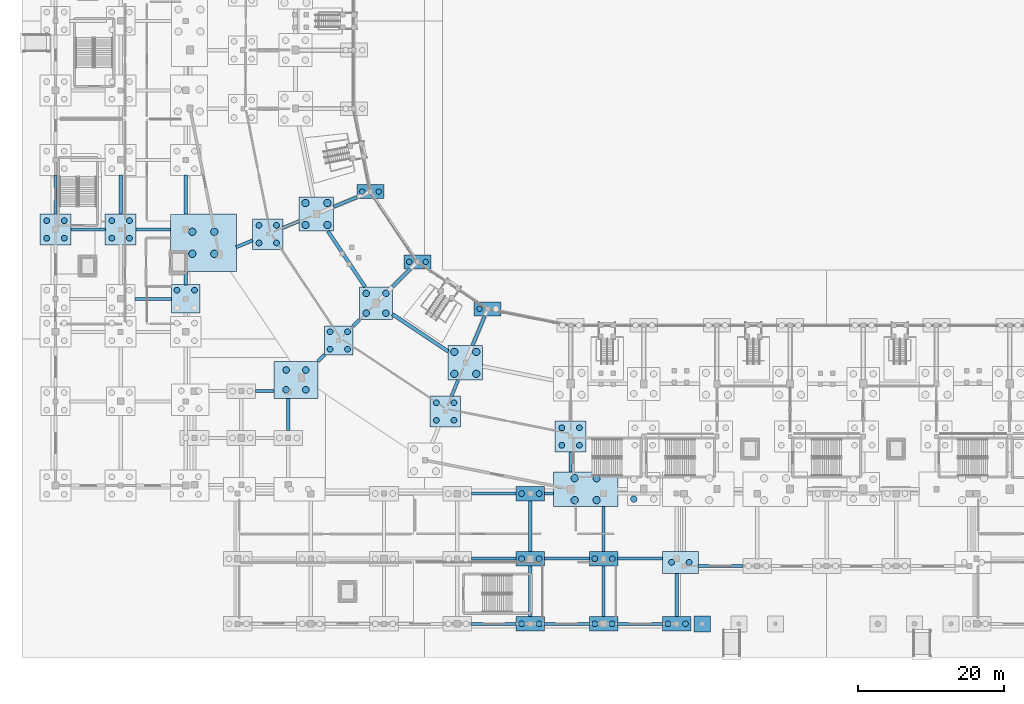
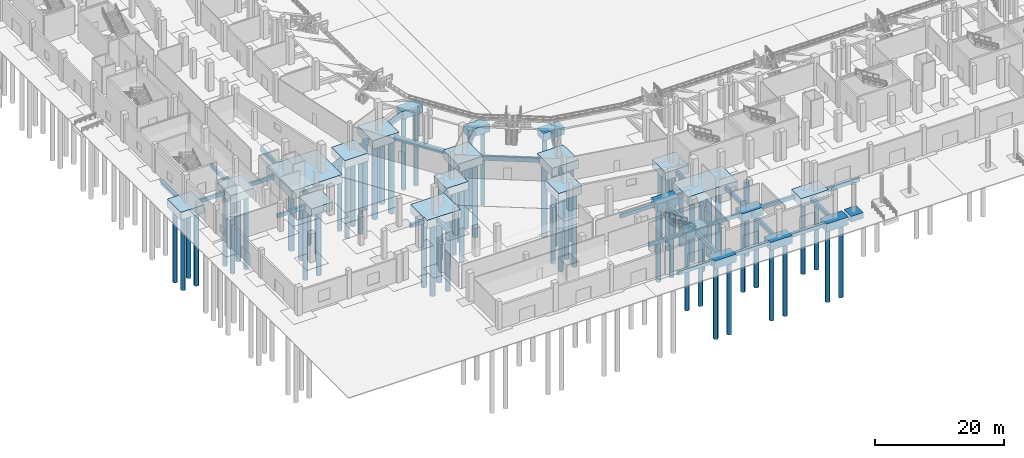
# One storey, part 2 of 68: 70 piles, 58 footings.
"""IFC4 building model written with IfcOpenShell, lengths in metres."""

from ifc_helpers import new_model, si_unit, direction, frame, origin, origin_2d, place, context, subcontext, project, spatial, rectangle, circle, extrude, material, material_profile, profile_set, type_object, element, save


model = new_model("IFC4")

# Units and contexts
model_context = context("Model", 3, precision=1e-05, world=origin(), true_north=direction((0.0, 1.0)))
body_context = subcontext(model_context, "Body", "Model", "MODEL_VIEW")
ifc_project = project(units=[si_unit("LENGTHUNIT", "METRE"), si_unit("AREAUNIT", "SQUARE_METRE"), si_unit("VOLUMEUNIT", "CUBIC_METRE"), si_unit("PLANEANGLEUNIT", "RADIAN"), si_unit("MASSUNIT", "GRAM", prefix="KILO")], contexts=[model_context])

# Site, building, storey
site_placement = place(None, origin())
site = spatial("IfcSite", under=ifc_project, at=site_placement, CompositionType="ELEMENT")
building_placement = place(site_placement, origin())
building = spatial("IfcBuilding", under=site, at=building_placement, Name="Candeia Ridge Stadium", CompositionType="ELEMENT")
storey_placement = place(building_placement, origin())
storey = spatial("IfcBuildingStorey", under=building, at=storey_placement, Name="L00", CompositionType="ELEMENT", Elevation=0.0)

# Piles
ifc_material = material(Name="Concrete C40/50", Category="concrete")
ifc_material_profile_1 = material_profile(ifc_material, circle(Radius=0.5, at=origin_2d()), Name="PILE-D1000", Category="concrete")
ifc_profile_set_1 = profile_set([ifc_material_profile_1], Name="Concrete C40/50")
pile_type_1 = type_object("IfcPileType", Name="Bored Concrete Pile D1000", PredefinedType="BORED", material=ifc_profile_set_1)
for number, where, z_axis, x_axis, name in (
    (1, (34.76220703125, 55.111083984375, -1.39990234375), (0.0, 0.0, -1.0), (1.0, 0.0, 0.0), "Bored concrete foundation pile PILE-0205"),
    (2, (37.76220703125, 55.111083984375, -1.39990234375), (0.0, 0.0, -1.0), (1.0, 0.0, 0.0), "Bored concrete foundation pile PILE-0206"),
    (3, (34.76220703125, 58.111083984375, -1.39990234375), (0.0, 0.0, -1.0), (1.0, 0.0, 0.0), "Bored concrete foundation pile PILE-0207"),
    (4, (37.76220703125, 58.111083984375, -1.39990234375), (0.0, 0.0, -1.0), (1.0, 0.0, 0.0), "Bored concrete foundation pile PILE-0208"),
    (5, (19.30419921875, 51.17529296875, -1.39990234375), (0.0, 0.0, -1.0), (1.0, 0.0, 0.0), "Bored concrete foundation pile PILE-0213"),
    (6, (22.30419921875, 51.17529296875, -1.39990234375), (0.0, 0.0, -1.0), (1.0, 0.0, 0.0), "Bored concrete foundation pile PILE-0214"),
    (7, (19.30419921875, 54.17529296875, -1.39990234375), (0.0, 0.0, -1.0), (1.0, 0.0, 0.0), "Bored concrete foundation pile PILE-0215"),
    (8, (22.30419921875, 54.17529296875, -1.39990234375), (0.0, 0.0, -1.0), (1.0, 0.0, 0.0), "Bored concrete foundation pile PILE-0216"),
    (9, (55.111083984375, 34.76220703125, -1.39990234375), (0.0, 0.0, -1.0), (1.0, 0.0, 0.0), "Bored concrete foundation pile PILE-0233"),
    (10, (58.111083984375, 34.76220703125, -1.39990234375), (0.0, 0.0, -1.0), (1.0, 0.0, 0.0), "Bored concrete foundation pile PILE-0234"),
    (11, (55.111083984375, 37.76220703125, -1.39990234375), (0.0, 0.0, -1.0), (1.0, 0.0, 0.0), "Bored concrete foundation pile PILE-0235"),
    (12, (58.111083984375, 37.76220703125, -1.39990234375), (0.0, 0.0, -1.0), (1.0, 0.0, 0.0), "Bored concrete foundation pile PILE-0236"),
    (13, (71.550048828125, 17.5, -1.39990234375), (0.0, 0.0, -1.0), (1.0, 0.0, 0.0), "Bored concrete foundation pile PILE-0255"),
    (14, (74.550048828125, 17.5, -1.39990234375), (0.0, 0.0, -1.0), (1.0, 0.0, 0.0), "Bored concrete foundation pile PILE-0256"),
    (15, (71.550048828125, 20.5, -1.39990234375), (0.0, 0.0, -1.0), (1.0, 0.0, 0.0), "Bored concrete foundation pile PILE-0257"),
    (16, (74.550048828125, 20.5, -1.39990234375), (0.0, 0.0, -1.0), (1.0, 0.0, 0.0), "Bored concrete foundation pile PILE-0258"),
):
    element("IfcPile", number, at=place(storey_placement, frame(where, z_axis=z_axis, x_axis=x_axis)), inside=storey, type_object=pile_type_1, Name=name, PredefinedType="BORED", context=body_context, shape_type="SweptSolid", body=[
        extrude(circle(Radius=0.5, at=origin_2d()), origin(), (0.0, 0.0, 1.0), 14.0),
    ])
ifc_material_profile_2 = material_profile(ifc_material, circle(Radius=0.375, at=origin_2d()), Name="PILE-D750", Category="concrete")
ifc_profile_set_2 = profile_set([ifc_material_profile_2], Name="Concrete C40/50")
pile_type_2 = type_object("IfcPileType", Name="Bored Concrete Pile D750", PredefinedType="BORED", material=ifc_profile_set_2)
for number, where, z_axis, x_axis, name in (
    (17, (42.5283203125, 59.672607421875, -1.39990234375), (0.0, 0.0, -1.0), (1.0, 0.0, 0.0), "Bored concrete foundation pile PILE-0203"),
    (18, (44.7783203125, 59.672607421875, -1.39990234375), (0.0, 0.0, -1.0), (1.0, 0.0, 0.0), "Bored concrete foundation pile PILE-0204"),
    (19, (48.944580078125, 50.069580078125, -1.39990234375), (0.0, 0.0, -1.0), (1.0, 0.0, 0.0), "Bored concrete foundation pile PILE-0217"),
    (20, (51.194580078125, 50.069580078125, -1.39990234375), (0.0, 0.0, -1.0), (1.0, 0.0, 0.0), "Bored concrete foundation pile PILE-0218"),
    (21, (58.547607421875, 43.6533203125, -1.39990234375), (0.0, 0.0, -1.0), (1.0, 0.0, 0.0), "Bored concrete foundation pile PILE-0231"),
):
    element("IfcPile", number, at=place(storey_placement, frame(where, z_axis=z_axis, x_axis=x_axis)), inside=storey, type_object=pile_type_2, Name=name, PredefinedType="BORED", context=body_context, shape_type="SweptSolid", body=[
        extrude(circle(Radius=0.375, at=origin_2d()), origin(), (0.0, 0.0, 1.0), 14.0),
    ])
ifc_material_profile_3 = material_profile(ifc_material, circle(Radius=0.39990234375, at=origin_2d()), Name="PILE-D800", Category="concrete")
ifc_profile_set_3 = profile_set([ifc_material_profile_3], Name="Concrete C40/50")
pile_type_3 = type_object("IfcPileType", Name="Bored Concrete Pile D800", PredefinedType="BORED", material=ifc_profile_set_3)
for number, where, z_axis, x_axis, name in (
    (22, (28.41015625, 52.65576171875, -1.39990234375), (0.0, 0.0, -1.0), (1.0, 0.0, 0.0), "Bored concrete foundation pile PILE-0209"),
    (23, (30.810302734375, 52.65576171875, -1.39990234375), (0.0, 0.0, -1.0), (1.0, 0.0, 0.0), "Bored concrete foundation pile PILE-0210"),
    (24, (28.41015625, 55.055908203125, -1.39990234375), (0.0, 0.0, -1.0), (1.0, 0.0, 0.0), "Bored concrete foundation pile PILE-0211"),
    (25, (30.810302734375, 55.055908203125, -1.39990234375), (0.0, 0.0, -1.0), (1.0, 0.0, 0.0), "Bored concrete foundation pile PILE-0212"),
    (26, (38.12158203125, 38.12158203125, -1.39990234375), (0.0, 0.0, -1.0), (1.0, 0.0, 0.0), "Bored concrete foundation pile PILE-0223"),
    (27, (40.521484375, 38.12158203125, -1.39990234375), (0.0, 0.0, -1.0), (1.0, 0.0, 0.0), "Bored concrete foundation pile PILE-0224"),
    (28, (38.12158203125, 40.521484375, -1.39990234375), (0.0, 0.0, -1.0), (1.0, 0.0, 0.0), "Bored concrete foundation pile PILE-0225"),
    (29, (40.521484375, 40.521484375, -1.39990234375), (0.0, 0.0, -1.0), (1.0, 0.0, 0.0), "Bored concrete foundation pile PILE-0226"),
    (30, (52.65576171875, 28.41015625, -1.39990234375), (0.0, 0.0, -1.0), (1.0, 0.0, 0.0), "Bored concrete foundation pile PILE-0237"),
    (31, (55.055908203125, 28.41015625, -1.39990234375), (0.0, 0.0, -1.0), (1.0, 0.0, 0.0), "Bored concrete foundation pile PILE-0238"),
    (32, (52.65576171875, 30.810302734375, -1.39990234375), (0.0, 0.0, -1.0), (1.0, 0.0, 0.0), "Bored concrete foundation pile PILE-0239"),
    (33, (55.055908203125, 30.810302734375, -1.39990234375), (0.0, 0.0, -1.0), (1.0, 0.0, 0.0), "Bored concrete foundation pile PILE-0240"),
    (34, (69.800048828125, 25.0, -1.39990234375), (0.0, 0.0, -1.0), (1.0, 0.0, 0.0), "Bored concrete foundation pile PILE-0251"),
    (35, (72.199951171875, 25.0, -1.39990234375), (0.0, 0.0, -1.0), (1.0, 0.0, 0.0), "Bored concrete foundation pile PILE-0252"),
    (36, (69.800048828125, 27.39990234375, -1.39990234375), (0.0, 0.0, -1.0), (1.0, 0.0, 0.0), "Bored concrete foundation pile PILE-0253"),
    (37, (72.199951171875, 27.39990234375, -1.39990234375), (0.0, 0.0, -1.0), (1.0, 0.0, 0.0), "Bored concrete foundation pile PILE-0254"),
    (38, (-0.60009765625, 53.300048828125, -1.39990234375), (0.0, 0.0, -1.0), (1.0, 0.0, 0.0), "Bored concrete foundation pile PILE-0509"),
    (39, (1.800048828125, 53.300048828125, -1.39990234375), (0.0, 0.0, -1.0), (1.0, 0.0, 0.0), "Bored concrete foundation pile PILE-0510"),
    (40, (-0.60009765625, 55.699951171875, -1.39990234375), (0.0, 0.0, -1.0), (1.0, 0.0, 0.0), "Bored concrete foundation pile PILE-0511"),
    (41, (1.800048828125, 55.699951171875, -1.39990234375), (0.0, 0.0, -1.0), (1.0, 0.0, 0.0), "Bored concrete foundation pile PILE-0512"),
    (42, (8.300048828125, 53.300048828125, -1.39990234375), (0.0, 0.0, -1.0), (1.0, 0.0, 0.0), "Bored concrete foundation pile PILE-0569"),
    (43, (10.699951171875, 53.300048828125, -1.39990234375), (0.0, 0.0, -1.0), (1.0, 0.0, 0.0), "Bored concrete foundation pile PILE-0570"),
    (44, (8.300048828125, 55.699951171875, -1.39990234375), (0.0, 0.0, -1.0), (1.0, 0.0, 0.0), "Bored concrete foundation pile PILE-0571"),
    (45, (10.699951171875, 55.699951171875, -1.39990234375), (0.0, 0.0, -1.0), (1.0, 0.0, 0.0), "Bored concrete foundation pile PILE-0572"),
    (46, (17.199951171875, 46.199951171875, -1.39990234375), (0.0, 0.0, -1.0), (1.0, 0.0, 0.0), "Bored concrete foundation pile PILE-0627"),
    (47, (19.60009765625, 46.199951171875, -1.39990234375), (0.0, 0.0, -1.0), (1.0, 0.0, 0.0), "Bored concrete foundation pile PILE-0628"),
    (48, (64.300048828125, 0.60009765625, -1.39990234375), (0.0, 0.0, -1.0), (1.0, 0.0, 0.0), "Bored concrete foundation pile PILE-0745"),
    (49, (66.699951171875, 0.60009765625, -1.39990234375), (0.0, 0.0, -1.0), (1.0, 0.0, 0.0), "Bored concrete foundation pile PILE-0746"),
    (50, (64.300048828125, 9.5, -1.39990234375), (0.0, 0.0, -1.0), (1.0, 0.0, 0.0), "Bored concrete foundation pile PILE-0747"),
    (51, (66.699951171875, 9.5, -1.39990234375), (0.0, 0.0, -1.0), (1.0, 0.0, 0.0), "Bored concrete foundation pile PILE-0748"),
    (52, (64.300048828125, 18.39990234375, -1.39990234375), (0.0, 0.0, -1.0), (1.0, 0.0, 0.0), "Bored concrete foundation pile PILE-0749"),
    (53, (66.699951171875, 18.39990234375, -1.39990234375), (0.0, 0.0, -1.0), (1.0, 0.0, 0.0), "Bored concrete foundation pile PILE-0750"),
    (54, (74.300048828125, 0.60009765625, -1.39990234375), (0.0, 0.0, -1.0), (1.0, 0.0, 0.0), "Bored concrete foundation pile PILE-0751"),
    (55, (76.699951171875, 0.60009765625, -1.39990234375), (0.0, 0.0, -1.0), (1.0, 0.0, 0.0), "Bored concrete foundation pile PILE-0752"),
    (56, (74.300048828125, 9.5, -1.39990234375), (0.0, 0.0, -1.0), (1.0, 0.0, 0.0), "Bored concrete foundation pile PILE-0753"),
    (57, (76.699951171875, 9.5, -1.39990234375), (0.0, 0.0, -1.0), (1.0, 0.0, 0.0), "Bored concrete foundation pile PILE-0754"),
    (58, (84.300048828125, 0.60009765625, -1.39990234375), (0.0, 0.0, -1.0), (1.0, 0.0, 0.0), "Bored concrete foundation pile PILE-0755"),
    (59, (86.699951171875, 0.60009765625, -1.39990234375), (0.0, 0.0, -1.0), (1.0, 0.0, 0.0), "Bored concrete foundation pile PILE-0756"),
    (60, (84.800048828125, 9.0, -1.39990234375), (0.0, 0.0, -1.0), (1.0, 0.0, 0.0), "Bored concrete foundation pile PILE-0757"),
    (61, (87.199951171875, 9.0, -1.39990234375), (0.0, 0.0, -1.0), (1.0, 0.0, 0.0), "Bored concrete foundation pile PILE-0758"),
):
    element("IfcPile", number, at=place(storey_placement, frame(where, z_axis=z_axis, x_axis=x_axis)), inside=storey, type_object=pile_type_3, Name=name, PredefinedType="BORED", context=body_context, shape_type="SweptSolid", body=[
        extrude(circle(Radius=0.39990234375, at=origin_2d()), origin(), (0.0, 0.0, 1.0), 14.0),
    ])
ifc_material_profile_4 = material_profile(ifc_material, circle(Radius=0.449951171875, at=origin_2d()), Name="PILE-D900", Category="concrete")
ifc_profile_set_4 = profile_set([ifc_material_profile_4], Name="Concrete C40/50")
pile_type_4 = type_object("IfcPileType", Name="Bored Concrete Pile D900", PredefinedType="BORED", material=ifc_profile_set_4)
for number, where, z_axis, x_axis, name in (
    (62, (43.062744140625, 43.062744140625, -1.39990234375), (0.0, 0.0, -1.0), (1.0, 0.0, 0.0), "Bored concrete foundation pile PILE-0219"),
    (63, (45.7626953125, 43.062744140625, -1.39990234375), (0.0, 0.0, -1.0), (1.0, 0.0, 0.0), "Bored concrete foundation pile PILE-0220"),
    (64, (43.062744140625, 45.7626953125, -1.39990234375), (0.0, 0.0, -1.0), (1.0, 0.0, 0.0), "Bored concrete foundation pile PILE-0221"),
    (65, (45.7626953125, 45.7626953125, -1.39990234375), (0.0, 0.0, -1.0), (1.0, 0.0, 0.0), "Bored concrete foundation pile PILE-0222"),
    (66, (32.115234375, 32.590087890625, -1.39990234375), (0.0, 0.0, -1.0), (1.0, 0.0, 0.0), "Bored concrete foundation pile PILE-0227"),
    (67, (34.815185546875, 32.590087890625, -1.39990234375), (0.0, 0.0, -1.0), (1.0, 0.0, 0.0), "Bored concrete foundation pile PILE-0228"),
    (68, (32.115234375, 35.290283203125, -1.39990234375), (0.0, 0.0, -1.0), (1.0, 0.0, 0.0), "Bored concrete foundation pile PILE-0229"),
    (69, (34.815185546875, 35.290283203125, -1.39990234375), (0.0, 0.0, -1.0), (1.0, 0.0, 0.0), "Bored concrete foundation pile PILE-0230"),
    (70, (79.64990234375, 17.64990234375, -1.39990234375), (0.0, 0.0, -1.0), (1.0, 0.0, 0.0), "Bored concrete foundation pile PILE-0269"),
):
    element("IfcPile", number, at=place(storey_placement, frame(where, z_axis=z_axis, x_axis=x_axis)), inside=storey, type_object=pile_type_4, Name=name, PredefinedType="BORED", context=body_context, shape_type="SweptSolid", body=[
        extrude(circle(Radius=0.449951171875, at=origin_2d()), origin(), (0.0, 0.0, 1.0), 14.0),
    ])

# Footings
footing_type_1 = type_object("IfcFootingType", Name="Ground Tie Beam 400x700", PredefinedType="FOOTING_BEAM", material=ifc_material)
footing_1_placement = place(storey_placement, frame((5.050048828125, 54.5, -1.0498046875), z_axis=(0.0, 0.0, 1.0), x_axis=(1.0, 0.0, 0.0)))
element("IfcFooting", 71, at=footing_1_placement, inside=storey, type_object=footing_type_1, Name="Ground tie beam GTB-0169", PredefinedType="FOOTING_BEAM", context=body_context, shape_type="SweptSolid", body=[
    extrude(rectangle(XDim=4.719970703125, YDim=0.39990234375, at=origin_2d()), origin(), (0.0, 0.0, 1.0), 0.699951171875),
])
footing_2_placement = place(storey_placement, frame((13.949951171875, 45.0, -1.0498046875), z_axis=(0.0, 0.0, 1.0), x_axis=(1.0, 0.0, 0.0)))
element("IfcFooting", 72, at=footing_2_placement, inside=storey, type_object=footing_type_1, Name="Ground tie beam GTB-0196", PredefinedType="FOOTING_BEAM", context=body_context, shape_type="SweptSolid", body=[
    extrude(rectangle(XDim=5.02001953125, YDim=0.39990234375, at=origin_2d()), origin(), (0.0, 0.0, 1.0), 0.699951171875),
])
footing_3_placement = place(storey_placement, frame((13.949951171875, 54.5, -1.0498046875), z_axis=(0.0, 0.0, 1.0), x_axis=(1.0, 0.0, 0.0)))
element("IfcFooting", 73, at=footing_3_placement, inside=storey, type_object=footing_type_1, Name="Ground tie beam GTB-0198", PredefinedType="FOOTING_BEAM", context=body_context, shape_type="SweptSolid", body=[
    extrude(rectangle(XDim=4.719970703125, YDim=0.39990234375, at=origin_2d()), origin(), (0.0, 0.0, 1.0), 0.699951171875),
])
for number, where, z_axis, x_axis, name in (
    (74, (60.5, 0.60009765625, -1.0498046875), (0.0, 0.0, 1.0), (1.0, 0.0, 0.0), "Ground tie beam GTB-0305"),
    (75, (60.5, 9.5, -1.0498046875), (0.0, 0.0, 1.0), (1.0, 0.0, 0.0), "Ground tie beam GTB-0307"),
    (76, (60.5, 18.39990234375, -1.0498046875), (0.0, 0.0, 1.0), (1.0, 0.0, 0.0), "Ground tie beam GTB-0308"),
    (77, (70.5, 0.60009765625, -1.0498046875), (0.0, 0.0, 1.0), (1.0, 0.0, 0.0), "Ground tie beam GTB-0310"),
    (78, (70.5, 9.5, -1.0498046875), (0.0, 0.0, 1.0), (1.0, 0.0, 0.0), "Ground tie beam GTB-0312"),
):
    element("IfcFooting", number, at=place(storey_placement, frame(where, z_axis=z_axis, x_axis=x_axis)), inside=storey, type_object=footing_type_1, Name=name, PredefinedType="FOOTING_BEAM", context=body_context, shape_type="SweptSolid", body=[
        extrude(rectangle(XDim=6.1201171875, YDim=0.39990234375, at=origin_2d()), origin(), (0.0, 0.0, 1.0), 0.699951171875),
    ])
footing_4_placement = place(storey_placement, frame((68.050048828125, 18.39990234375, -1.0498046875), z_axis=(0.0, 0.0, 1.0), x_axis=(1.0, 0.0, 0.0)))
element("IfcFooting", 79, at=footing_4_placement, inside=storey, type_object=footing_type_1, Name="Ground tie beam GTB-0313", PredefinedType="FOOTING_BEAM", context=body_context, shape_type="SweptSolid", body=[
    extrude(rectangle(XDim=1.219970703125, YDim=0.39990234375, at=origin_2d()), origin(), (0.0, 0.0, 1.0), 0.699951171875),
])
for number, where, z_axis, x_axis, name in (
    (80, (80.5, 0.60009765625, -1.0498046875), (0.0, 0.0, 1.0), (1.0, 0.0, 0.0), "Ground tie beam GTB-0315"),
    (81, (80.5, 9.5, -1.0498046875), (0.0, 0.0, 1.0), (1.0, 0.0, 0.0), "Ground tie beam GTB-0317"),
    (82, (91.5, 8.5, -1.0498046875), (0.0, 0.0, 1.0), (1.0, 0.0, 0.0), "Ground tie beam GTB-0354"),
):
    element("IfcFooting", number, at=place(storey_placement, frame(where, z_axis=z_axis, x_axis=x_axis)), inside=storey, type_object=footing_type_1, Name=name, PredefinedType="FOOTING_BEAM", context=body_context, shape_type="SweptSolid", body=[
        extrude(rectangle(XDim=6.1201171875, YDim=0.39990234375, at=origin_2d()), origin(), (0.0, 0.0, 1.0), 0.699951171875),
    ])
footing_5_placement = place(storey_placement, frame((29.199951171875, 32.39990234375, -1.0498046875), z_axis=(0.0, 0.0, 1.0), x_axis=(1.0, 0.0, 0.0)))
element("IfcFooting", 83, at=footing_5_placement, inside=storey, type_object=footing_type_1, Name="Ground tie beam GTB-0458", PredefinedType="FOOTING_BEAM", context=body_context, shape_type="SweptSolid", body=[
    extrude(rectangle(XDim=2.52001953125, YDim=0.39990234375, at=origin_2d()), origin(), (0.0, 0.0, 1.0), 0.699951171875),
])
footing_type_2 = type_object("IfcFootingType", Name="Ground Tie Beam 450x750", PredefinedType="FOOTING_BEAM", material=ifc_material)
footing_6_placement = place(storey_placement, frame((40.207763671875, 58.245361328125, -1.074951171875), z_axis=(0.0, 0.0, 1.0), x_axis=(-0.923881408021, -0.382678904453, 0.0)))
element("IfcFooting", 84, at=footing_6_placement, inside=storey, type_object=footing_type_2, Name="Ground tie beam GTB-0069", PredefinedType="FOOTING_BEAM", context=body_context, shape_type="SweptSolid", body=[
    extrude(rectangle(XDim=3.473876953125, YDim=0.449951171875, at=origin_2d()), origin(), (0.0, 0.0, 1.0), 0.75),
])
for number, where, z_axis, x_axis, name in (
    (85, (32.811279296875, 55.181640625, -1.074951171875), (0.0, 0.0, 1.0), (-0.923882444352, -0.382676402483, 0.0), "Ground tie beam GTB-0070"),
    (86, (26.4091796875, 52.52978515625, -1.074951171875), (0.0, 0.0, 1.0), (-0.923867733186, -0.382711917213, 0.0), "Ground tie beam GTB-0071"),
):
    element("IfcFooting", number, at=place(storey_placement, frame(where, z_axis=z_axis, x_axis=x_axis)), inside=storey, type_object=footing_type_2, Name=name, PredefinedType="FOOTING_BEAM", context=body_context, shape_type="SweptSolid", body=[
        extrude(rectangle(XDim=2.4033203125, YDim=0.449951171875, at=origin_2d()), origin(), (0.0, 0.0, 1.0), 0.75),
    ])
footing_7_placement = place(storey_placement, frame((47.89111328125, 47.89111328125, -1.074951171875), z_axis=(0.0, 0.0, 1.0), x_axis=(-0.707106781187, -0.707106781187, 0.0)))
element("IfcFooting", 87, at=footing_7_placement, inside=storey, type_object=footing_type_2, Name="Ground tie beam GTB-0073", PredefinedType="FOOTING_BEAM", context=body_context, shape_type="SweptSolid", body=[
    extrude(rectangle(XDim=3.49462890625, YDim=0.449951171875, at=origin_2d()), origin(), (0.0, 0.0, 1.0), 0.75),
])
footing_8_placement = place(storey_placement, frame((41.71728515625, 41.71728515625, -1.074951171875), z_axis=(0.0, 0.0, 1.0), x_axis=(-0.707106781187, -0.707106781187, 0.0)))
element("IfcFooting", 88, at=footing_8_placement, inside=storey, type_object=footing_type_2, Name="Ground tie beam GTB-0074", PredefinedType="FOOTING_BEAM", context=body_context, shape_type="SweptSolid", body=[
    extrude(rectangle(XDim=1.280517578125, YDim=0.449951171875, at=origin_2d()), origin(), (0.0, 0.0, 1.0), 0.75),
])
footing_9_placement = place(storey_placement, frame((36.926025390625, 36.926025390625, -1.074951171875), z_axis=(0.0, 0.0, 1.0), x_axis=(-0.707106781187, -0.707106781187, 0.0)))
element("IfcFooting", 89, at=footing_9_placement, inside=storey, type_object=footing_type_2, Name="Ground tie beam GTB-0075", PredefinedType="FOOTING_BEAM", context=body_context, shape_type="SweptSolid", body=[
    extrude(rectangle(XDim=1.2802734375, YDim=0.449951171875, at=origin_2d()), origin(), (0.0, 0.0, 1.0), 0.75),
])
footing_10_placement = place(storey_placement, frame((58.431884765625, 40.65771484375, -1.074951171875), z_axis=(0.0, 0.0, 1.0), x_axis=(-0.382681391665, -0.923880377794, 0.0)))
element("IfcFooting", 90, at=footing_10_placement, inside=storey, type_object=footing_type_2, Name="Ground tie beam GTB-0077", PredefinedType="FOOTING_BEAM", context=body_context, shape_type="SweptSolid", body=[
    extrude(rectangle(XDim=4.447998046875, YDim=0.449951171875, at=origin_2d()), origin(), (0.0, 0.0, 1.0), 0.75),
])
footing_11_placement = place(storey_placement, frame((55.181640625, 32.811279296875, -1.074951171875), z_axis=(0.0, 0.0, 1.0), x_axis=(-0.382676402483, -0.923882444352, 0.0)))
element("IfcFooting", 91, at=footing_11_placement, inside=storey, type_object=footing_type_2, Name="Ground tie beam GTB-0078", PredefinedType="FOOTING_BEAM", context=body_context, shape_type="SweptSolid", body=[
    extrude(rectangle(XDim=2.4033203125, YDim=0.449951171875, at=origin_2d()), origin(), (0.0, 0.0, 1.0), 0.75),
])
footing_12_placement = place(storey_placement, frame((71.0, 22.72509765625, -1.074951171875), z_axis=(0.0, 0.0, 1.0), x_axis=(0.0, -1.0, 0.0)))
element("IfcFooting", 92, at=footing_12_placement, inside=storey, type_object=footing_type_2, Name="Ground tie beam GTB-0084", PredefinedType="FOOTING_BEAM", context=body_context, shape_type="SweptSolid", body=[
    extrude(rectangle(XDim=2.77001953125, YDim=0.449951171875, at=origin_2d()), origin(), (0.0, 0.0, 1.0), 0.75),
])
for number, where, z_axis, x_axis, name in (
    (93, (0.60009765625, 59.25, -1.074951171875), (0.0, 0.0, 1.0), (0.0, 1.0, 0.0), "Ground tie beam GTB-0168"),
    (94, (9.5, 59.25, -1.074951171875), (0.0, 0.0, 1.0), (0.0, 1.0, 0.0), "Ground tie beam GTB-0197"),
):
    element("IfcFooting", number, at=place(storey_placement, frame(where, z_axis=z_axis, x_axis=x_axis)), inside=storey, type_object=footing_type_2, Name=name, PredefinedType="FOOTING_BEAM", context=body_context, shape_type="SweptSolid", body=[
        extrude(rectangle(XDim=5.320068359375, YDim=0.449951171875, at=origin_2d()), origin(), (0.0, 0.0, 1.0), 0.75),
    ])
footing_13_placement = place(storey_placement, frame((18.39990234375, 47.850341796875, -1.074951171875), z_axis=(0.0, 0.0, 1.0), x_axis=(0.0, 1.0, 0.0)))
element("IfcFooting", 95, at=footing_13_placement, inside=storey, type_object=footing_type_2, Name="Ground tie beam GTB-0221", PredefinedType="FOOTING_BEAM", context=body_context, shape_type="SweptSolid", body=[
    extrude(rectangle(XDim=1.820556640625, YDim=0.449951171875, at=origin_2d()), origin(), (0.0, 0.0, 1.0), 0.75),
])
footing_14_placement = place(storey_placement, frame((18.39990234375, 59.25, -1.074951171875), z_axis=(0.0, 0.0, 1.0), x_axis=(0.0, 1.0, 0.0)))
element("IfcFooting", 96, at=footing_14_placement, inside=storey, type_object=footing_type_2, Name="Ground tie beam GTB-0222", PredefinedType="FOOTING_BEAM", context=body_context, shape_type="SweptSolid", body=[
    extrude(rectangle(XDim=5.320068359375, YDim=0.449951171875, at=origin_2d()), origin(), (0.0, 0.0, 1.0), 0.75),
])
for number, where, z_axis, x_axis, name in (
    (97, (65.5, 5.050048828125, -1.074951171875), (0.0, 0.0, 1.0), (0.0, 1.0, 0.0), "Ground tie beam GTB-0309"),
    (98, (65.5, 13.949951171875, -1.074951171875), (0.0, 0.0, 1.0), (0.0, 1.0, 0.0), "Ground tie beam GTB-0311"),
    (99, (75.5, 5.050048828125, -1.074951171875), (0.0, 0.0, 1.0), (0.0, 1.0, 0.0), "Ground tie beam GTB-0314"),
):
    element("IfcFooting", number, at=place(storey_placement, frame(where, z_axis=z_axis, x_axis=x_axis)), inside=storey, type_object=footing_type_2, Name=name, PredefinedType="FOOTING_BEAM", context=body_context, shape_type="SweptSolid", body=[
        extrude(rectangle(XDim=6.919921875, YDim=0.449951171875, at=origin_2d()), origin(), (0.0, 0.0, 1.0), 0.75),
    ])
footing_15_placement = place(storey_placement, frame((75.5, 13.574951171875, -1.074951171875), z_axis=(0.0, 0.0, 1.0), x_axis=(0.0, 1.0, 0.0)))
element("IfcFooting", 100, at=footing_15_placement, inside=storey, type_object=footing_type_2, Name="Ground tie beam GTB-0316", PredefinedType="FOOTING_BEAM", context=body_context, shape_type="SweptSolid", body=[
    extrude(rectangle(XDim=6.169921875, YDim=0.449951171875, at=origin_2d()), origin(), (0.0, 0.0, 1.0), 0.75),
])
footing_16_placement = place(storey_placement, frame((85.5, 4.550048828125, -1.074951171875), z_axis=(0.0, 0.0, 1.0), x_axis=(0.0, 1.0, 0.0)))
element("IfcFooting", 101, at=footing_16_placement, inside=storey, type_object=footing_type_2, Name="Ground tie beam GTB-0319", PredefinedType="FOOTING_BEAM", context=body_context, shape_type="SweptSolid", body=[
    extrude(rectangle(XDim=5.919921875, YDim=0.449951171875, at=origin_2d()), origin(), (0.0, 0.0, 1.0), 0.75),
])
footing_17_placement = place(storey_placement, frame((32.39990234375, 29.199951171875, -1.074951171875), z_axis=(0.0, 0.0, 1.0), x_axis=(0.0, 1.0, 0.0)))
element("IfcFooting", 102, at=footing_17_placement, inside=storey, type_object=footing_type_2, Name="Ground tie beam GTB-0460", PredefinedType="FOOTING_BEAM", context=body_context, shape_type="SweptSolid", body=[
    extrude(rectangle(XDim=4.419921875, YDim=0.449951171875, at=origin_2d()), origin(), (0.0, 0.0, 1.0), 0.75),
])
footing_type_3 = type_object("IfcFootingType", Name="Ground Tie Beam 500x800", PredefinedType="FOOTING_BEAM", material=ifc_material)
for number, where, z_axis, x_axis, name in (
    (103, (40.370849609375, 50.4619140625, -1.10009765625), (0.0, 0.0, 1.0), (0.555569213197, -0.831470293726, 0.0), "Ground tie beam GTB-0068"),
    (104, (50.4619140625, 40.370849609375, -1.10009765625), (0.0, 0.0, 1.0), (0.831470293726, -0.555569213197, 0.0), "Ground tie beam GTB-0072"),
):
    element("IfcFooting", number, at=place(storey_placement, frame(where, z_axis=z_axis, x_axis=x_axis)), inside=storey, type_object=footing_type_3, Name=name, PredefinedType="FOOTING_BEAM", context=body_context, shape_type="SweptSolid", body=[
        extrude(rectangle(XDim=9.158447265625, YDim=0.5, at=origin_2d()), origin(), (0.0, 0.0, 1.0), 0.800048828125),
    ])
footing_type_4 = type_object("IfcFootingType", Name="Pad Footing 2200x2200x1100", PredefinedType="PAD_FOOTING", material=ifc_material)
footing_18_placement = place(storey_placement, frame((89.0, 0.60009765625, -1.10009765625), z_axis=(0.0, 0.0, 1.0), x_axis=(1.0, 0.0, 0.0)))
element("IfcFooting", 105, at=footing_18_placement, inside=storey, type_object=footing_type_4, Name="Colonnade pad footing RP-01", PredefinedType="PAD_FOOTING", context=body_context, shape_type="SweptSolid", body=[
    extrude(rectangle(XDim=2.199951171875, YDim=2.199951171875, at=origin_2d()), origin(), (0.0, 0.0, 1.0), 1.10009765625),
])
footing_type_5 = type_object("IfcFootingType", Name="Pile Cap 3700x1900x1450", PredefinedType="PILE_CAP", material=ifc_material)
for number, where, z_axis, x_axis, name in (
    (106, (43.653076171875, 59.672607421875, -1.4501953125), (0.0, 0.0, 1.0), (1.0, 0.0, 0.0), "Reinforced concrete pile cap CAP-059"),
    (107, (50.069580078125, 50.069580078125, -1.4501953125), (0.0, 0.0, 1.0), (1.0, 0.0, 0.0), "Reinforced concrete pile cap CAP-063"),
    (108, (59.672607421875, 43.653076171875, -1.4501953125), (0.0, 0.0, 1.0), (1.0, 0.0, 0.0), "Reinforced concrete pile cap CAP-067"),
):
    element("IfcFooting", number, at=place(storey_placement, frame(where, z_axis=z_axis, x_axis=x_axis)), inside=storey, type_object=footing_type_5, Name=name, PredefinedType="PILE_CAP", context=body_context, shape_type="SweptSolid", body=[
        extrude(rectangle(XDim=3.699951171875, YDim=1.89990234375, at=origin_2d()), origin(), (0.0, 0.0, 1.0), 1.449951171875),
    ])
footing_type_6 = type_object("IfcFootingType", Name="Pile Cap 3900x2000x1500", PredefinedType="PILE_CAP", material=ifc_material)
for number, where, z_axis, x_axis, name in (
    (109, (65.5, 0.60009765625, -1.5), (0.0, 0.0, 1.0), (1.0, 0.0, 0.0), "Reinforced concrete pile cap CAP-228"),
    (110, (65.5, 9.5, -1.5), (0.0, 0.0, 1.0), (1.0, 0.0, 0.0), "Reinforced concrete pile cap CAP-229"),
    (111, (65.5, 18.39990234375, -1.5), (0.0, 0.0, 1.0), (1.0, 0.0, 0.0), "Reinforced concrete pile cap CAP-230"),
    (112, (75.5, 0.60009765625, -1.5), (0.0, 0.0, 1.0), (1.0, 0.0, 0.0), "Reinforced concrete pile cap CAP-231"),
    (113, (75.5, 9.5, -1.5), (0.0, 0.0, 1.0), (1.0, 0.0, 0.0), "Reinforced concrete pile cap CAP-232"),
    (114, (85.5, 0.60009765625, -1.5), (0.0, 0.0, 1.0), (1.0, 0.0, 0.0), "Reinforced concrete pile cap CAP-233"),
):
    element("IfcFooting", number, at=place(storey_placement, frame(where, z_axis=z_axis, x_axis=x_axis)), inside=storey, type_object=footing_type_6, Name=name, PredefinedType="PILE_CAP", context=body_context, shape_type="SweptSolid", body=[
        extrude(rectangle(XDim=3.89990234375, YDim=2.0, at=origin_2d()), origin(), (0.0, 0.0, 1.0), 1.5),
    ])
footing_type_7 = type_object("IfcFootingType", Name="Pile Cap 3900x3900x1500", PredefinedType="PILE_CAP", material=ifc_material)
for number, where, z_axis, x_axis, name in (
    (115, (39.321533203125, 39.321533203125, -1.5), (0.0, 0.0, 1.0), (1.0, 0.0, 0.0), "Reinforced concrete pile cap CAP-065"),
    (116, (18.39990234375, 45.0, -1.5), (0.0, 0.0, 1.0), (1.0, 0.0, 0.0), "Reinforced concrete pile cap CAP-175"),
):
    element("IfcFooting", number, at=place(storey_placement, frame(where, z_axis=z_axis, x_axis=x_axis)), inside=storey, type_object=footing_type_7, Name=name, PredefinedType="PILE_CAP", context=body_context, shape_type="SweptSolid", body=[
        extrude(rectangle(XDim=3.89990234375, YDim=3.89990234375, at=origin_2d()), origin(), (0.0, 0.0, 1.0), 1.5),
    ])
footing_type_8 = type_object("IfcFootingType", Name="Pile Cap 4200x4200x1500", PredefinedType="PILE_CAP", material=ifc_material)
for number, where, z_axis, x_axis, name in (
    (117, (29.610107421875, 53.855712890625, -1.5), (0.0, 0.0, 1.0), (1.0, 0.0, 0.0), "Reinforced concrete pile cap CAP-061"),
    (118, (53.855712890625, 29.610107421875, -1.5), (0.0, 0.0, 1.0), (1.0, 0.0, 0.0), "Reinforced concrete pile cap CAP-069"),
    (119, (71.0, 26.199951171875, -1.5), (0.0, 0.0, 1.0), (1.0, 0.0, 0.0), "Reinforced concrete pile cap CAP-073"),
    (120, (0.60009765625, 54.5, -1.5), (0.0, 0.0, 1.0), (1.0, 0.0, 0.0), "Reinforced concrete pile cap CAP-146"),
    (121, (9.5, 54.5, -1.5), (0.0, 0.0, 1.0), (1.0, 0.0, 0.0), "Reinforced concrete pile cap CAP-161"),
):
    element("IfcFooting", number, at=place(storey_placement, frame(where, z_axis=z_axis, x_axis=x_axis)), inside=storey, type_object=footing_type_8, Name=name, PredefinedType="PILE_CAP", context=body_context, shape_type="SweptSolid", body=[
        extrude(rectangle(XDim=4.199951171875, YDim=4.199951171875, at=origin_2d()), origin(), (0.0, 0.0, 1.0), 1.5),
    ])
footing_type_9 = type_object("IfcFootingType", Name="Pile Cap 4500x4500x1550", PredefinedType="PILE_CAP", material=ifc_material)
footing_19_placement = place(storey_placement, frame((44.412841796875, 44.412841796875, -1.5498046875), z_axis=(0.0, 0.0, 1.0), x_axis=(1.0, 0.0, 0.0)))
element("IfcFooting", 122, at=footing_19_placement, inside=storey, type_object=footing_type_9, Name="Reinforced concrete pile cap CAP-064", PredefinedType="PILE_CAP", context=body_context, shape_type="SweptSolid", body=[
    extrude(rectangle(XDim=4.5, YDim=4.5, at=origin_2d()), origin(), (0.0, 0.0, 1.0), 1.550048828125),
])
footing_type_10 = type_object("IfcFootingType", Name="Pile Cap 4700x4700x1600", PredefinedType="PILE_CAP", material=ifc_material)
for number, where, z_axis, x_axis, name in (
    (123, (36.26220703125, 56.611083984375, -1.60009765625), (0.0, 0.0, 1.0), (1.0, 0.0, 0.0), "Reinforced concrete pile cap CAP-060"),
    (124, (56.611083984375, 36.26220703125, -1.60009765625), (0.0, 0.0, 1.0), (1.0, 0.0, 0.0), "Reinforced concrete pile cap CAP-068"),
):
    element("IfcFooting", number, at=place(storey_placement, frame(where, z_axis=z_axis, x_axis=x_axis)), inside=storey, type_object=footing_type_10, Name=name, PredefinedType="PILE_CAP", context=body_context, shape_type="SweptSolid", body=[
        extrude(rectangle(XDim=4.699951171875, YDim=4.699951171875, at=origin_2d()), origin(), (0.0, 0.0, 1.0), 1.60009765625),
    ])
footing_type_11 = type_object("IfcFootingType", Name="Pile Cap 5400x4200x1600", PredefinedType="PILE_CAP", material=ifc_material)
footing_20_placement = place(storey_placement, frame((86.0, 9.0, -1.60009765625), z_axis=(0.0, 0.0, 1.0), x_axis=(1.0, 0.0, 0.0)))
element("IfcFooting", 125, at=footing_20_placement, inside=storey, type_object=footing_type_11, Name="Reinforced concrete pile cap CAP-234", PredefinedType="PILE_CAP", context=body_context, shape_type="SweptSolid", body=[
    extrude(rectangle(XDim=4.89990234375, YDim=3.0, at=origin_2d()), origin(), (0.0, 0.0, 1.0), 1.60009765625),
])
footing_type_12 = type_object("IfcFootingType", Name="Pile Cap 6200x4400x1600", PredefinedType="PILE_CAP", material=ifc_material)
footing_21_placement = place(storey_placement, frame((20.80419921875, 52.67529296875, -1.60009765625), z_axis=(0.0, 0.0, 1.0), x_axis=(1.0, 0.0, 0.0)))
element("IfcFooting", 126, at=footing_21_placement, inside=storey, type_object=footing_type_12, Name="Reinforced concrete pile cap CAP-062", PredefinedType="PILE_CAP", context=body_context, shape_type="SweptSolid", body=[
    extrude(rectangle(XDim=9.00830078125, YDim=7.849609375, at=origin_2d()), origin(), (0.0, 0.0, 1.0), 1.60009765625),
])
footing_22_placement = place(storey_placement, frame((33.46533203125, 33.940185546875, -1.60009765625), z_axis=(0.0, 0.0, 1.0), x_axis=(1.0, 0.0, 0.0)))
element("IfcFooting", 127, at=footing_22_placement, inside=storey, type_object=footing_type_12, Name="Reinforced concrete pile cap CAP-066", PredefinedType="PILE_CAP", context=body_context, shape_type="SweptSolid", body=[
    extrude(rectangle(XDim=6.030517578125, YDim=5.080322265625, at=origin_2d()), origin(), (0.0, 0.0, 1.0), 1.60009765625),
])
footing_23_placement = place(storey_placement, frame((73.050048828125, 19.0, -1.60009765625), z_axis=(0.0, 0.0, 1.0), x_axis=(1.0, 0.0, 0.0)))
element("IfcFooting", 128, at=footing_23_placement, inside=storey, type_object=footing_type_12, Name="Reinforced concrete pile cap CAP-074", PredefinedType="PILE_CAP", context=body_context, shape_type="SweptSolid", body=[
    extrude(rectangle(XDim=8.800048828125, YDim=4.699951171875, at=origin_2d()), origin(), (0.0, 0.0, 1.0), 1.60009765625),
])

save(model, "model.ifc")
